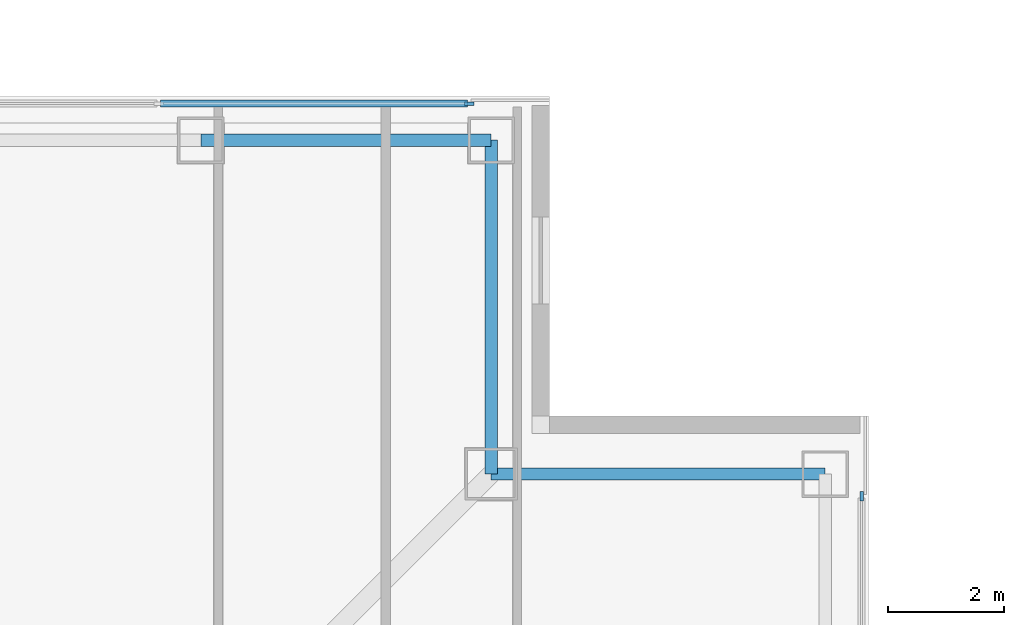
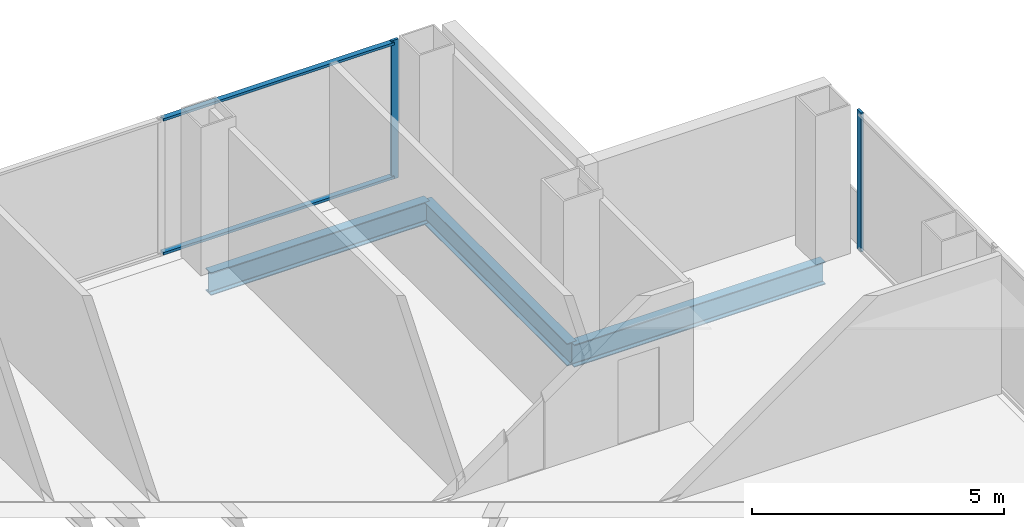
# One storey, part 8 of 17: 4 members, 3 beams, 2 elements without a shape of their own.
"""IFC4 building model written with IfcOpenShell, lengths in metres."""

from ifc_helpers import new_model, si_unit, direction, frame, origin, origin_2d, place, context, subcontext, project, spatial, rectangle, i_section, extrude, material, layer, layer_set, material_profile, profile_set, type_object, element, aggregate, save


model = new_model("IFC4")

# Units and contexts
model_context = context("Model", 3, precision=1e-05, world=origin(), true_north=direction((0.0, 1.0)))
body_context = subcontext(model_context, "Body", "Model", "MODEL_VIEW")
ifc_project = project(units=[si_unit("LENGTHUNIT", "METRE"), si_unit("AREAUNIT", "SQUARE_METRE"), si_unit("VOLUMEUNIT", "CUBIC_METRE"), si_unit("PLANEANGLEUNIT", "RADIAN"), si_unit("MASSUNIT", "GRAM", prefix="KILO")], contexts=[model_context])

# Site, building, storey
site_placement = place(None, origin())
site = spatial("IfcSite", under=ifc_project, at=site_placement, CompositionType="ELEMENT")
building_placement = place(site_placement, origin())
building = spatial("IfcBuilding", under=site, at=building_placement, Name="Trevonay Congress Spire", CompositionType="ELEMENT")
storey_placement = place(building_placement, frame((0.0, 0.0, 187.800048828125)))
storey = spatial("IfcBuildingStorey", under=building, at=storey_placement, Name="L48", CompositionType="ELEMENT", Elevation=187.800048828125)

# Beams
ifc_material_1 = material(Name="Steel ASTM A572 Grade 50", Category="steel")
ifc_material_profile_1 = material_profile(ifc_material_1, i_section(OverallWidth=0.2119140625, OverallDepth=0.5439453125, WebThickness=0.01318359375, FlangeThickness=0.021240234375, FilletRadius=0.014892578125, at=origin_2d()), Name="W530x123")
ifc_profile_set_1 = profile_set([ifc_material_profile_1], Name="Steel ASTM A572 Grade 50")
beam_type = type_object("IfcBeamType", Name="BM-RING-W530X123", PredefinedType="BEAM", material=ifc_profile_set_1)
beam_placement = place(storey_placement, frame((8.5, 19.25, -0.511962890625), z_axis=(1.0, 0.0, 0.0), x_axis=(0.0, 1.0, 0.0)))
element("IfcBeam", 1, at=beam_placement, inside=storey, type_object=beam_type, Name="L48 structural beam BM-L48-PN5", PredefinedType="BEAM", context=body_context, shape_type="SweptSolid", body=[
    extrude(i_section(OverallWidth=0.2119140625, OverallDepth=0.5439453125, WebThickness=0.01318359375, FlangeThickness=0.021240234375, FilletRadius=0.014892578125, at=origin_2d()), origin(), (0.0, 0.0, 1.0), 5.0),
])
for number, where, z_axis, x_axis, name in (
    (2, (13.5, 19.25, -0.511962890625), (0.0, -1.0, 0.0), (1.0, 0.0, 0.0), "L48 structural beam BM-L48-N1NE"),
    (3, (19.25, 13.5, -0.511962890625), (-1.0, 0.0, 0.0), (0.0, -1.0, 0.0), "L48 structural beam BM-L48-N2NE"),
):
    element("IfcBeam", number, at=place(storey_placement, frame(where, z_axis=z_axis, x_axis=x_axis)), inside=storey, type_object=beam_type, Name=name, PredefinedType="BEAM", context=body_context, shape_type="SweptSolid", body=[
        extrude(i_section(OverallWidth=0.2119140625, OverallDepth=0.5439453125, WebThickness=0.01318359375, FlangeThickness=0.021240234375, FilletRadius=0.014892578125, at=origin_2d()), origin(), (0.0, 0.0, 1.0), 5.75),
    ])

# Curtain wall, member
ifc_material_2 = material(Name="Pale Anodised Aluminium EN AW-6063-T6", Category="aluminium")
ifc_layer = layer(ifc_material_2, 0.169921875, Name="Pale Anodised Aluminium EN AW-6063-T6")
ifc_layer_set = layer_set([ifc_layer], Name="Pale Anodised Aluminium EN AW-6063-T6")
curtain_wall_type = type_object("IfcCurtainWallType", Name="CW-SYS04-CORP-PALE-METAL", PredefinedType="NOTDEFINED", material=ifc_layer_set)
curtain_wall_1_placement = place(storey_placement, origin())
curtain_wall_1 = element("IfcCurtainWall", 4, at=curtain_wall_1_placement, inside=storey, type_object=curtain_wall_type, Name="L48 NB unitised curtain wall", PredefinedType="NOTDEFINED")
ifc_material_profile_2 = material_profile(ifc_material_2, rectangle(XDim=0.06005859375, YDim=0.159912109375, at=origin_2d()), Name="CW-MULLION-160-ALUMINIUM")
ifc_profile_set_2 = profile_set([ifc_material_profile_2], Name="Pale Anodised Aluminium EN AW-6063-T6")
member_type_1 = type_object("IfcMemberType", Name="CW-MULLION-160-ALUMINIUM", PredefinedType="MULLION", material=ifc_profile_set_2)
member_1_placement = place(storey_placement, frame((13.1201171875, 19.8798828125, 0.0), z_axis=(0.0, 0.0, 1.0), x_axis=(0.0, 1.0, 0.0)))
member_1 = element("IfcMember", 5, at=member_1_placement, type_object=member_type_1, Name="CW04 mullion 3", PredefinedType="MULLION", context=body_context, shape_type="SweptSolid", body=[
    extrude(rectangle(XDim=0.06005859375, YDim=0.159912109375, at=origin_2d()), origin(), (0.0, 0.0, 1.0), 3.35986328125),
])

curtain_wall_2_placement = place(storey_placement, origin())
curtain_wall_2 = element("IfcCurtainWall", 6, at=curtain_wall_2_placement, inside=storey, type_object=curtain_wall_type, Name="L48 EB unitised curtain wall", PredefinedType="NOTDEFINED")
member_2_placement = place(storey_placement, frame((19.8798828125, 13.1201171875, 0.0), z_axis=(0.0, 0.0, 1.0), x_axis=(-1.0, 0.0, 0.0)))
member_2 = element("IfcMember", 7, at=member_2_placement, type_object=member_type_1, Name="CW04 mullion 3", PredefinedType="MULLION", context=body_context, shape_type="SweptSolid", body=[
    extrude(rectangle(XDim=0.06005859375, YDim=0.159912109375, at=origin_2d()), origin(), (0.0, 0.0, 1.0), 3.35986328125),
])
aggregate(curtain_wall_2, [member_2])

# Member
ifc_material_profile_3 = material_profile(ifc_material_2, rectangle(XDim=0.1201171875, YDim=0.06005859375, at=origin_2d()), Name="CW-TRANSOM-120-ALUMINIUM")
ifc_profile_set_3 = profile_set([ifc_material_profile_3], Name="Pale Anodised Aluminium EN AW-6063-T6")
member_type_2 = type_object("IfcMemberType", Name="CW-TRANSOM-120-ALUMINIUM", PredefinedType="USERDEFINED", material=ifc_profile_set_3)
member_3_placement = place(storey_placement, frame((7.804931640625, 19.8798828125, 0.06005859375), z_axis=(1.0, 0.0, 0.0), x_axis=(0.0, 1.0, 0.0)))
member_3 = element("IfcMember", 8, at=member_3_placement, type_object=member_type_2, Name="CW04 transom 2.1", ObjectType="TRANSOM", PredefinedType="USERDEFINED", context=body_context, shape_type="SweptSolid", body=[
    extrude(rectangle(XDim=0.1201171875, YDim=0.06005859375, at=origin_2d()), origin(), (0.0, 0.0, 1.0), 5.28515625),
])

member_4_placement = place(storey_placement, frame((7.804931640625, 19.8798828125, 3.300048828125), z_axis=(1.0, 0.0, 0.0), x_axis=(0.0, 1.0, 0.0)))
member_4 = element("IfcMember", 9, at=member_4_placement, type_object=member_type_2, Name="CW04 transom 2.2", ObjectType="TRANSOM", PredefinedType="USERDEFINED", context=body_context, shape_type="SweptSolid", body=[
    extrude(rectangle(XDim=0.1201171875, YDim=0.06005859375, at=origin_2d()), origin(), (0.0, 0.0, 1.0), 5.28515625),
])

aggregate(curtain_wall_1, [member_1, member_3, member_4])

save(model, "model.ifc")
